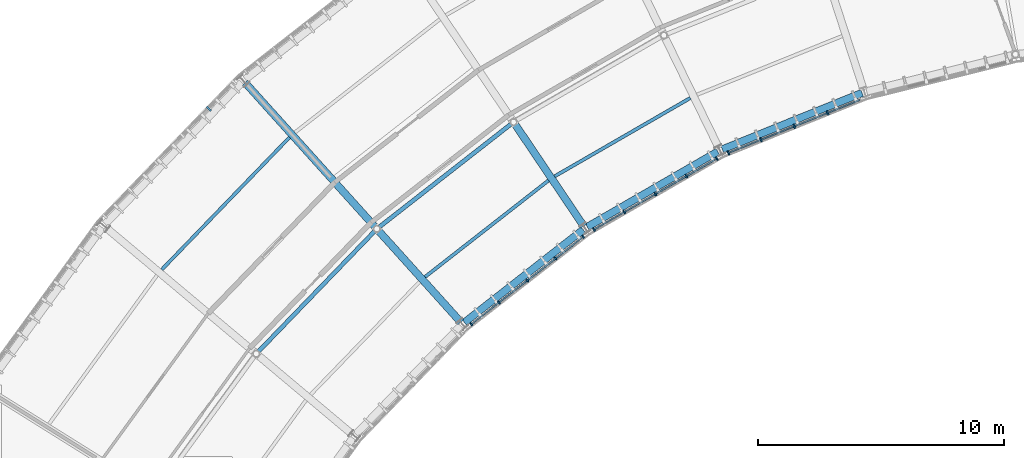
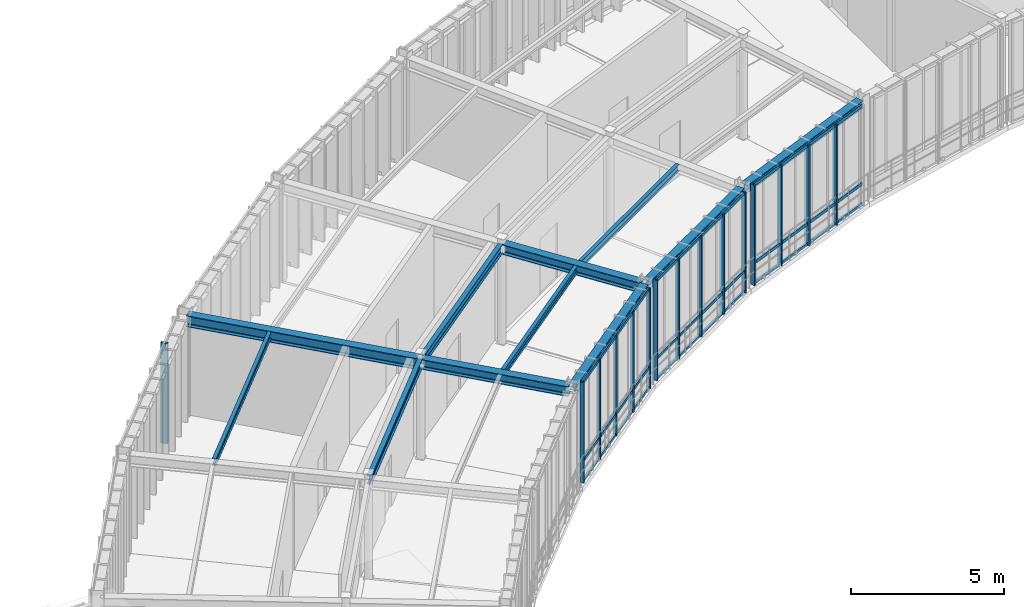
# One storey, part 18 of 52: 24 members, 11 beams, 4 elements without a shape of their own.
"""IFC4 building model written with IfcOpenShell, lengths in metres."""

from ifc_helpers import new_model, si_unit, direction, frame, origin, origin_2d, place, context, subcontext, project, spatial, rectangle, i_section, extrude, material, layer, layer_set, material_profile, profile_set, type_object, element, aggregate, save


model = new_model("IFC4")

# Units and contexts
model_context = context("Model", 3, precision=1e-05, world=origin(), true_north=direction((0.0, 1.0)))
body_context = subcontext(model_context, "Body", "Model", "MODEL_VIEW")
ifc_project = project(units=[si_unit("LENGTHUNIT", "METRE"), si_unit("AREAUNIT", "SQUARE_METRE"), si_unit("VOLUMEUNIT", "CUBIC_METRE"), si_unit("PLANEANGLEUNIT", "RADIAN"), si_unit("MASSUNIT", "GRAM", prefix="KILO"), si_unit("THERMODYNAMICTEMPERATUREUNIT", "KELVIN"), si_unit("POWERUNIT", "WATT")], contexts=[model_context])

# Site, building, storey
site_placement = place(None, origin())
site = spatial("IfcSite", under=ifc_project, at=site_placement, CompositionType="ELEMENT")
building_placement = place(site_placement, origin())
building = spatial("IfcBuilding", under=site, at=building_placement, Name="Solvatero Civic Police Headquarters", CompositionType="ELEMENT")
storey_placement = place(building_placement, frame((0.0, 0.0, 13.5)))
storey = spatial("IfcBuildingStorey", under=building, at=storey_placement, Name="L03", CompositionType="ELEMENT", Elevation=13.5)

# Beams
ifc_material_1 = material(Name="Steel S355", Category="steel")
ifc_material_profile_1 = material_profile(ifc_material_1, i_section(OverallWidth=0.300048828125, OverallDepth=0.2900390625, WebThickness=0.008544921875, FlangeThickness=0.013916015625, FilletRadius=0.027099609375, at=origin_2d()), Name="HEA 300")
ifc_profile_set_1 = profile_set([ifc_material_profile_1], Name="Steel S355")
beam_type_1 = type_object("IfcBeamType", Name="BM-ST-HEA300", PredefinedType="SPANDREL", material=ifc_profile_set_1)
for number, where, z_axis, x_axis, name in (
    (1, (79.893310546875, 69.093017578125, 3.85498046875), (-0.927182224478, -0.374610628001, 0.0), (0.374610628001, -0.927182224478, 0.0), "Perimeter / radial spandrel beam BM-R2-L03-ARC-CIN-B04"),
    (2, (74.033203125, 66.710205078125, 3.85498046875), (-0.86603495258, -0.499983460637, 0.0), (0.499983460637, -0.86603495258, 0.0), "Perimeter / radial spandrel beam BM-R2-L03-ARC-CIN-B05"),
):
    element("IfcBeam", number, at=place(storey_placement, frame(where, z_axis=z_axis, x_axis=x_axis)), inside=storey, type_object=beam_type_1, Name=name, PredefinedType="SPANDREL", context=body_context, shape_type="SweptSolid", body=[
        extrude(i_section(OverallWidth=0.300048828125, OverallDepth=0.2900390625, WebThickness=0.008544921875, FlangeThickness=0.013916015625, FilletRadius=0.027099609375, at=origin_2d()), origin(), (0.0, 0.0, 1.0), 6.126708984375),
    ])
beam_1_placement = place(storey_placement, frame((68.561767578125, 63.535400390625, 3.85498046875), z_axis=(-0.788005042089, -0.615668785665, 0.0), x_axis=(0.615668785665, -0.788005042089, 0.0)))
element("IfcBeam", 3, at=beam_1_placement, inside=storey, type_object=beam_type_1, Name="Perimeter / radial spandrel beam BM-R2-L03-ARC-CIN-B06", PredefinedType="SPANDREL", context=body_context, shape_type="SweptSolid", body=[
    extrude(i_section(OverallWidth=0.300048828125, OverallDepth=0.2900390625, WebThickness=0.008544921875, FlangeThickness=0.013916015625, FilletRadius=0.027099609375, at=origin_2d()), origin(), (0.0, 0.0, 1.0), 6.126953125),
])
ifc_material_profile_2 = material_profile(ifc_material_1, i_section(OverallWidth=0.300048828125, OverallDepth=0.389892578125, WebThickness=0.010986328125, FlangeThickness=0.01904296875, FilletRadius=0.027099609375, at=origin_2d()), Name="HEA 400")
ifc_profile_set_2 = profile_set([ifc_material_profile_2], Name="Steel S355")
beam_type_2 = type_object("IfcBeamType", Name="BM-ST-HEA400", PredefinedType="BEAM", material=ifc_profile_set_2)
for number, where, z_axis, x_axis, name in (
    (4, (68.584716796875, 63.6796875, 3.804931640625), (-0.559176791171, 0.829048440211, 0.0), (-0.829048440211, -0.559176791171, 0.0), "Primary girder BM-R2-L03-ARC-RAD1-S05"),
    (5, (63.587890625, 59.77587890625, 3.804931640625), (-0.669126573551, 0.743148456614, 0.0), (-0.743148456614, -0.669126573551, 0.0), "Primary girder BM-R2-L03-ARC-RAD1-S06"),
):
    element("IfcBeam", number, at=place(storey_placement, frame(where, z_axis=z_axis, x_axis=x_axis)), inside=storey, type_object=beam_type_2, Name=name, PredefinedType="BEAM", context=body_context, shape_type="SweptSolid", body=[
        extrude(i_section(OverallWidth=0.300048828125, OverallDepth=0.389892578125, WebThickness=0.010986328125, FlangeThickness=0.01904296875, FilletRadius=0.027099609375, at=origin_2d()), origin(), (0.0, 0.0, 1.0), 5.0),
    ])
ifc_material_profile_3 = material_profile(ifc_material_1, i_section(OverallWidth=0.300048828125, OverallDepth=0.43994140625, WebThickness=0.011474609375, FlangeThickness=0.02099609375, FilletRadius=0.027099609375, at=origin_2d()), Name="HEA 450")
ifc_profile_set_3 = profile_set([ifc_material_profile_3], Name="Steel S355")
beam_type_3 = type_object("IfcBeamType", Name="BM-ST-HEA450", PredefinedType="BEAM", material=ifc_profile_set_3)
beam_2_placement = place(storey_placement, frame((60.1083984375, 63.640380859375, 3.780029296875), z_axis=(-0.669128632475, 0.743146602766, 0.0), x_axis=(-0.743146602766, -0.669128632475, 0.0)))
element("IfcBeam", 6, at=beam_2_placement, inside=storey, type_object=beam_type_3, Name="Primary girder BM-R2-L03-ARC-RAD2-S06", PredefinedType="BEAM", context=body_context, shape_type="SweptSolid", body=[
    extrude(i_section(OverallWidth=0.300048828125, OverallDepth=0.43994140625, WebThickness=0.011474609375, FlangeThickness=0.02099609375, FilletRadius=0.027099609375, at=origin_2d()), origin(), (0.0, 0.0, 1.0), 7.899658203125),
])
ifc_material_profile_4 = material_profile(ifc_material_1, i_section(OverallWidth=0.135009765625, OverallDepth=0.27001953125, WebThickness=0.006591796875, FlangeThickness=0.01025390625, FilletRadius=0.014892578125, at=origin_2d()), Name="IPE 270")
ifc_profile_set_4 = profile_set([ifc_material_profile_4], Name="Steel S355")
beam_type_4 = type_object("IfcBeamType", Name="BM-ST-IPE270", PredefinedType="BEAM", material=ifc_profile_set_4)
beam_3_placement = place(storey_placement, frame((72.916015625, 68.887451171875, 3.864990234375), z_axis=(-0.866017059223, -0.500014452926, 0.0), x_axis=(0.500014452926, -0.866017059223, 0.0)))
element("IfcBeam", 7, at=beam_3_placement, inside=storey, type_object=beam_type_4, Name="Composite floor beam BM-R2-L03-ARC-CS1-B05", PredefinedType="BEAM", context=body_context, shape_type="SweptSolid", body=[
    extrude(i_section(OverallWidth=0.135009765625, OverallDepth=0.27001953125, WebThickness=0.006591796875, FlangeThickness=0.01025390625, FilletRadius=0.014892578125, at=origin_2d()), origin(), (0.0, 0.0, 1.0), 6.368896484375),
])
beam_4_placement = place(storey_placement, frame((67.15234375, 65.53564453125, 3.864990234375), z_axis=(-0.787994151897, -0.615682723955, 0.0), x_axis=(0.615682723955, -0.787994151897, 0.0)))
element("IfcBeam", 8, at=beam_4_placement, inside=storey, type_object=beam_type_4, Name="Composite floor beam BM-R2-L03-ARC-CS1-B06", PredefinedType="BEAM", context=body_context, shape_type="SweptSolid", body=[
    extrude(i_section(OverallWidth=0.135009765625, OverallDepth=0.27001953125, WebThickness=0.006591796875, FlangeThickness=0.01025390625, FilletRadius=0.014892578125, at=origin_2d()), origin(), (0.0, 0.0, 1.0), 6.36865234375),
])
beam_5_placement = place(storey_placement, frame((56.625244140625, 67.285400390625, 3.864990234375), z_axis=(-0.69464641537, -0.719351345042, 0.0), x_axis=(0.719351345042, -0.69464641537, 0.0)))
element("IfcBeam", 9, at=beam_5_placement, inside=storey, type_object=beam_type_4, Name="Composite floor beam BM-R2-L03-ARC-CS2-B07", PredefinedType="BEAM", context=body_context, shape_type="SweptSolid", body=[
    extrude(i_section(OverallWidth=0.135009765625, OverallDepth=0.27001953125, WebThickness=0.006591796875, FlangeThickness=0.01025390625, FilletRadius=0.014892578125, at=origin_2d()), origin(), (0.0, 0.0, 1.0), 7.470947265625),
])
ifc_material_profile_5 = material_profile(ifc_material_1, i_section(OverallWidth=0.169921875, OverallDepth=0.360107421875, WebThickness=0.008056640625, FlangeThickness=0.0126953125, FilletRadius=0.01806640625, at=origin_2d()), Name="IPE 360")
ifc_profile_set_5 = profile_set([ifc_material_profile_5], Name="Steel S355")
beam_type_5 = type_object("IfcBeamType", Name="BM-ST-IPE360", PredefinedType="BEAM", material=ifc_profile_set_5)
beam_6_placement = place(storey_placement, frame((65.654052734375, 67.84619140625, 3.820068359375), z_axis=(-0.788036257023, -0.615628831047, 0.0), x_axis=(0.615628831047, -0.788036257023, 0.0)))
element("IfcBeam", 10, at=beam_6_placement, inside=storey, type_object=beam_type_5, Name="Composite floor beam BM-R2-L03-ARC-CMID-B06", PredefinedType="BEAM", context=body_context, shape_type="SweptSolid", body=[
    extrude(i_section(OverallWidth=0.169921875, OverallDepth=0.360107421875, WebThickness=0.008056640625, FlangeThickness=0.0126953125, FilletRadius=0.01806640625, at=origin_2d()), origin(), (0.0, 0.0, 1.0), 6.852294921875),
])
beam_7_placement = place(storey_placement, frame((60.10595703125, 63.494140625, 3.820068359375), z_axis=(-0.694635840839, -0.719361556258, 0.0), x_axis=(0.719361556258, -0.694635840839, 0.0)))
element("IfcBeam", 11, at=beam_7_placement, inside=storey, type_object=beam_type_5, Name="Composite floor beam BM-R2-L03-ARC-CMID-B07", PredefinedType="BEAM", context=body_context, shape_type="SweptSolid", body=[
    extrude(i_section(OverallWidth=0.169921875, OverallDepth=0.360107421875, WebThickness=0.008056640625, FlangeThickness=0.0126953125, FilletRadius=0.01806640625, at=origin_2d()), origin(), (0.0, 0.0, 1.0), 6.8525390625),
])

# Curtain wall, member
ifc_material_2 = material(Name="Anodized Bronze Aluminium", Category="aluminium")
ifc_layer_1 = layer(ifc_material_2, 0.179931640625)
ifc_layer_set_1 = layer_set([ifc_layer_1], Name="Anodized Bronze Aluminium")
curtain_wall_type_1 = type_object("IfcCurtainWallType", Name="CW-ARC-OUT", PredefinedType="USERDEFINED", material=ifc_layer_set_1)
curtain_wall_1_placement = place(storey_placement, origin())
curtain_wall_1 = element("IfcCurtainWall", 12, at=curtain_wall_1_placement, inside=storey, type_object=curtain_wall_type_1, Name="Curtain Wall CW-R2-L03-ARC-OUT-B07", ObjectType="UNITISED", PredefinedType="USERDEFINED")
ifc_material_profile_6 = material_profile(ifc_material_2, rectangle(XDim=0.080078125, YDim=0.239990234375, at=origin_2d()), Name="ALU MULLION 80x240")
ifc_profile_set_6 = profile_set([ifc_material_profile_6], Name="Anodized Bronze Aluminium")
member_type_1 = type_object("IfcMemberType", Name="CWM-140x60", PredefinedType="MULLION", material=ifc_profile_set_6)
member_1_placement = place(storey_placement, frame((53.34326171875, 68.453369140625, 0.0), z_axis=(0.0, 0.0, 1.0), x_axis=(-0.694645815505, -0.719351924305, 0.0)))
member_1 = element("IfcMember", 13, at=member_1_placement, type_object=member_type_1, Name="CW-R2-L03-ARC-OUT-B07 Mullion 2", PredefinedType="MULLION", context=body_context, shape_type="SweptSolid", body=[
    extrude(rectangle(XDim=0.080078125, YDim=0.239990234375, at=origin_2d()), origin(), (0.0, 0.0, 1.0), 4.0),
])
aggregate(curtain_wall_1, [member_1])

# Curtain wall, members
ifc_layer_2 = layer(ifc_material_2, 0.179931640625)
ifc_layer_set_2 = layer_set([ifc_layer_2], Name="Anodized Bronze Aluminium")
curtain_wall_type_2 = type_object("IfcCurtainWallType", Name="CW-ARC-IN", PredefinedType="USERDEFINED", material=ifc_layer_set_2)
curtain_wall_2_placement = place(storey_placement, origin())
curtain_wall_2 = element("IfcCurtainWall", 14, at=curtain_wall_2_placement, inside=storey, type_object=curtain_wall_type_2, Name="Curtain Wall CW-R2-L03-ARC-IN-B06", ObjectType="UNITISED", PredefinedType="USERDEFINED")
ifc_material_profile_7 = material_profile(ifc_material_2, rectangle(XDim=0.06005859375, YDim=0.139892578125, at=origin_2d()), Name="ALU MULLION 60x140")
ifc_profile_set_7 = profile_set([ifc_material_profile_7], Name="Anodized Bronze Aluminium")
member_type_2 = type_object("IfcMemberType", Name="CWM-160x65", PredefinedType="MULLION", material=ifc_profile_set_7)
member_2_placement = place(storey_placement, frame((68.561279296875, 63.243896484375, 0.0), z_axis=(0.0, 0.0, 1.0), x_axis=(-0.788010753607, -0.615661475326, 0.0)))
member_2 = element("IfcMember", 15, at=member_2_placement, type_object=member_type_2, Name="CW-R2-L03-ARC-IN-B06 Mullion 1", PredefinedType="MULLION", context=body_context, shape_type="SweptSolid", body=[
    extrude(rectangle(XDim=0.06005859375, YDim=0.139892578125, at=origin_2d()), origin(), (0.0, 0.0, 1.0), 4.0),
])
member_3_placement = place(storey_placement, frame((67.44091796875, 62.368408203125, 0.0), z_axis=(0.0, 0.0, 1.0), x_axis=(-0.788010753607, -0.615661475326, 0.0)))
member_3 = element("IfcMember", 16, at=member_3_placement, type_object=member_type_2, Name="CW-R2-L03-ARC-IN-B06 Mullion 2", PredefinedType="MULLION", context=body_context, shape_type="SweptSolid", body=[
    extrude(rectangle(XDim=0.06005859375, YDim=0.139892578125, at=origin_2d()), origin(), (0.0, 0.0, 1.0), 4.0),
])
member_4_placement = place(storey_placement, frame((66.2890625, 61.468505859375, 0.0), z_axis=(0.0, 0.0, 1.0), x_axis=(-0.788010753607, -0.615661475326, 0.0)))
member_4 = element("IfcMember", 17, at=member_4_placement, type_object=member_type_2, Name="CW-R2-L03-ARC-IN-B06 Mullion 3", PredefinedType="MULLION", context=body_context, shape_type="SweptSolid", body=[
    extrude(rectangle(XDim=0.06005859375, YDim=0.139892578125, at=origin_2d()), origin(), (0.0, 0.0, 1.0), 4.0),
])
member_5_placement = place(storey_placement, frame((65.13720703125, 60.568603515625, 0.0), z_axis=(0.0, 0.0, 1.0), x_axis=(-0.788010753607, -0.615661475326, 0.0)))
member_5 = element("IfcMember", 18, at=member_5_placement, type_object=member_type_2, Name="CW-R2-L03-ARC-IN-B06 Mullion 4", PredefinedType="MULLION", context=body_context, shape_type="SweptSolid", body=[
    extrude(rectangle(XDim=0.06005859375, YDim=0.139892578125, at=origin_2d()), origin(), (0.0, 0.0, 1.0), 4.0),
])
member_6_placement = place(storey_placement, frame((64.0166015625, 59.693115234375, 0.0), z_axis=(0.0, 0.0, 1.0), x_axis=(-0.788010753607, -0.615661475326, 0.0)))
member_6 = element("IfcMember", 19, at=member_6_placement, type_object=member_type_2, Name="CW-R2-L03-ARC-IN-B06 Mullion 5", PredefinedType="MULLION", context=body_context, shape_type="SweptSolid", body=[
    extrude(rectangle(XDim=0.06005859375, YDim=0.139892578125, at=origin_2d()), origin(), (0.0, 0.0, 1.0), 4.0),
])

curtain_wall_3_placement = place(storey_placement, origin())
curtain_wall_3 = element("IfcCurtainWall", 20, at=curtain_wall_3_placement, inside=storey, type_object=curtain_wall_type_2, Name="Curtain Wall CW-R2-L03-ARC-IN-B05", ObjectType="UNITISED", PredefinedType="USERDEFINED")
ifc_material_profile_8 = material_profile(ifc_material_2, rectangle(XDim=0.06005859375, YDim=0.159912109375, at=origin_2d()), Name="ALU MULLION 60x160")
ifc_profile_set_8 = profile_set([ifc_material_profile_8], Name="Anodized Bronze Aluminium")
member_type_3 = type_object("IfcMemberType", Name="CWM-180x70", PredefinedType="MULLION", material=ifc_profile_set_8)
member_7_placement = place(storey_placement, frame((73.9921875, 66.421630859375, 0.0), z_axis=(0.0, 0.0, 1.0), x_axis=(-0.866025403784, -0.5, 0.0)))
member_7 = element("IfcMember", 21, at=member_7_placement, type_object=member_type_3, Name="CW-R2-L03-ARC-IN-B05 Mullion 1", PredefinedType="MULLION", context=body_context, shape_type="SweptSolid", body=[
    extrude(rectangle(XDim=0.06005859375, YDim=0.159912109375, at=origin_2d()), origin(), (0.0, 0.0, 1.0), 4.0),
])
member_8_placement = place(storey_placement, frame((72.760986328125, 65.710693359375, 0.0), z_axis=(0.0, 0.0, 1.0), x_axis=(-0.866025403784, -0.5, 0.0)))
member_8 = element("IfcMember", 22, at=member_8_placement, type_object=member_type_3, Name="CW-R2-L03-ARC-IN-B05 Mullion 2", PredefinedType="MULLION", context=body_context, shape_type="SweptSolid", body=[
    extrude(rectangle(XDim=0.06005859375, YDim=0.159912109375, at=origin_2d()), origin(), (0.0, 0.0, 1.0), 4.0),
])
member_9_placement = place(storey_placement, frame((71.4951171875, 64.97998046875, 0.0), z_axis=(0.0, 0.0, 1.0), x_axis=(-0.866025403784, -0.5, 0.0)))
member_9 = element("IfcMember", 23, at=member_9_placement, type_object=member_type_3, Name="CW-R2-L03-ARC-IN-B05 Mullion 3", PredefinedType="MULLION", context=body_context, shape_type="SweptSolid", body=[
    extrude(rectangle(XDim=0.06005859375, YDim=0.159912109375, at=origin_2d()), origin(), (0.0, 0.0, 1.0), 4.0),
])
member_10_placement = place(storey_placement, frame((70.22900390625, 64.2490234375, 0.0), z_axis=(0.0, 0.0, 1.0), x_axis=(-0.866025403784, -0.5, 0.0)))
member_10 = element("IfcMember", 24, at=member_10_placement, type_object=member_type_3, Name="CW-R2-L03-ARC-IN-B05 Mullion 4", PredefinedType="MULLION", context=body_context, shape_type="SweptSolid", body=[
    extrude(rectangle(XDim=0.06005859375, YDim=0.159912109375, at=origin_2d()), origin(), (0.0, 0.0, 1.0), 4.0),
])
member_11_placement = place(storey_placement, frame((68.997802734375, 63.5380859375, 0.0), z_axis=(0.0, 0.0, 1.0), x_axis=(-0.866025403784, -0.5, 0.0)))
member_11 = element("IfcMember", 25, at=member_11_placement, type_object=member_type_3, Name="CW-R2-L03-ARC-IN-B05 Mullion 5", PredefinedType="MULLION", context=body_context, shape_type="SweptSolid", body=[
    extrude(rectangle(XDim=0.06005859375, YDim=0.159912109375, at=origin_2d()), origin(), (0.0, 0.0, 1.0), 4.0),
])

curtain_wall_4_placement = place(storey_placement, origin())
curtain_wall_4 = element("IfcCurtainWall", 26, at=curtain_wall_4_placement, inside=storey, type_object=curtain_wall_type_2, Name="Curtain Wall CW-R2-L03-ARC-IN-B04", ObjectType="UNITISED", PredefinedType="USERDEFINED")
ifc_material_profile_9 = material_profile(ifc_material_2, rectangle(XDim=0.06494140625, YDim=0.179931640625, at=origin_2d()), Name="ALU MULLION 65x180")
ifc_profile_set_9 = profile_set([ifc_material_profile_9], Name="Anodized Bronze Aluminium")
member_type_4 = type_object("IfcMemberType", Name="CWM-200x75", PredefinedType="MULLION", material=ifc_profile_set_9)
member_12_placement = place(storey_placement, frame((78.494140625, 68.2802734375, 0.0), z_axis=(0.0, 0.0, 1.0), x_axis=(-0.927183854567, -0.374606593416, 0.0)))
member_12 = element("IfcMember", 27, at=member_12_placement, type_object=member_type_4, Name="CW-R2-L03-ARC-IN-B04 Mullion 2", PredefinedType="MULLION", context=body_context, shape_type="SweptSolid", body=[
    extrude(rectangle(XDim=0.06494140625, YDim=0.179931640625, at=origin_2d()), origin(), (0.0, 0.0, 1.0), 4.0),
])
member_13_placement = place(storey_placement, frame((77.138916015625, 67.732666015625, 0.0), z_axis=(0.0, 0.0, 1.0), x_axis=(-0.927183854567, -0.374606593416, 0.0)))
member_13 = element("IfcMember", 28, at=member_13_placement, type_object=member_type_4, Name="CW-R2-L03-ARC-IN-B04 Mullion 3", PredefinedType="MULLION", context=body_context, shape_type="SweptSolid", body=[
    extrude(rectangle(XDim=0.06494140625, YDim=0.179931640625, at=origin_2d()), origin(), (0.0, 0.0, 1.0), 4.0),
])
member_14_placement = place(storey_placement, frame((75.78369140625, 67.18505859375, 0.0), z_axis=(0.0, 0.0, 1.0), x_axis=(-0.927183854567, -0.374606593416, 0.0)))
member_14 = element("IfcMember", 29, at=member_14_placement, type_object=member_type_4, Name="CW-R2-L03-ARC-IN-B04 Mullion 4", PredefinedType="MULLION", context=body_context, shape_type="SweptSolid", body=[
    extrude(rectangle(XDim=0.06494140625, YDim=0.179931640625, at=origin_2d()), origin(), (0.0, 0.0, 1.0), 4.0),
])
member_15_placement = place(storey_placement, frame((74.465576171875, 66.652587890625, 0.0), z_axis=(0.0, 0.0, 1.0), x_axis=(-0.927183854567, -0.374606593416, 0.0)))
member_15 = element("IfcMember", 30, at=member_15_placement, type_object=member_type_4, Name="CW-R2-L03-ARC-IN-B04 Mullion 5", PredefinedType="MULLION", context=body_context, shape_type="SweptSolid", body=[
    extrude(rectangle(XDim=0.06494140625, YDim=0.179931640625, at=origin_2d()), origin(), (0.0, 0.0, 1.0), 4.0),
])

# Member
ifc_material_profile_10 = material_profile(ifc_material_2, rectangle(XDim=0.06005859375, YDim=0.110107421875, at=origin_2d()), Name="ALU TRANSOM 60x110")
ifc_profile_set_10 = profile_set([ifc_material_profile_10], Name="Anodized Bronze Aluminium")
member_type_5 = type_object("IfcMemberType", Name="CWT-140x60", PredefinedType="USERDEFINED", material=ifc_profile_set_10)
member_16_placement = place(storey_placement, frame((73.9833984375, 66.416748046875, 0.0400390625), z_axis=(-0.866012254999, -0.500022773673, 0.0), x_axis=(0.500022773673, -0.866012254999, 0.0)))
member_16 = element("IfcMember", 31, at=member_16_placement, type_object=member_type_5, Name="CW-R2-L03-ARC-IN-B05 Transom 1", ObjectType="TRANSOM", PredefinedType="USERDEFINED", context=body_context, shape_type="SweptSolid", body=[
    extrude(rectangle(XDim=0.06005859375, YDim=0.110107421875, at=origin_2d()), origin(), (0.0, 0.0, 1.0), 5.746826171875),
])

member_17_placement = place(storey_placement, frame((73.9833984375, 66.416748046875, 0.85009765625), z_axis=(-0.866012254999, -0.500022773673, 0.0), x_axis=(0.500022773673, -0.866012254999, 0.0)))
member_17 = element("IfcMember", 32, at=member_17_placement, type_object=member_type_5, Name="CW-R2-L03-ARC-IN-B05 Transom 2", ObjectType="TRANSOM", PredefinedType="USERDEFINED", context=body_context, shape_type="SweptSolid", body=[
    extrude(rectangle(XDim=0.06005859375, YDim=0.110107421875, at=origin_2d()), origin(), (0.0, 0.0, 1.0), 5.746826171875),
])

member_18_placement = place(storey_placement, frame((73.9833984375, 66.416748046875, 3.9599609375), z_axis=(-0.866012254999, -0.500022773673, 0.0), x_axis=(0.500022773673, -0.866012254999, 0.0)))
member_18 = element("IfcMember", 33, at=member_18_placement, type_object=member_type_5, Name="CW-R2-L03-ARC-IN-B05 Transom 3", ObjectType="TRANSOM", PredefinedType="USERDEFINED", context=body_context, shape_type="SweptSolid", body=[
    extrude(rectangle(XDim=0.06005859375, YDim=0.110107421875, at=origin_2d()), origin(), (0.0, 0.0, 1.0), 5.746826171875),
])

aggregate(curtain_wall_3, [member_7, member_8, member_9, member_10, member_11, member_16, member_17, member_18])

ifc_material_profile_11 = material_profile(ifc_material_2, rectangle(XDim=0.06005859375, YDim=0.125, at=origin_2d()), Name="ALU TRANSOM 60x125")
ifc_profile_set_11 = profile_set([ifc_material_profile_11], Name="Anodized Bronze Aluminium")
member_type_6 = type_object("IfcMemberType", Name="CWT-160x65", PredefinedType="USERDEFINED", material=ifc_profile_set_11)
member_19_placement = place(storey_placement, frame((79.802978515625, 68.80908203125, 0.0400390625), z_axis=(-0.927176009366, -0.374626010383, 0.0), x_axis=(0.374626010383, -0.927176009366, 0.0)))
member_19 = element("IfcMember", 34, at=member_19_placement, type_object=member_type_6, Name="CW-R2-L03-ARC-IN-B04 Transom 1", ObjectType="TRANSOM", PredefinedType="USERDEFINED", context=body_context, shape_type="SweptSolid", body=[
    extrude(rectangle(XDim=0.06005859375, YDim=0.125, at=origin_2d()), origin(), (0.0, 0.0, 1.0), 5.74658203125),
])

member_20_placement = place(storey_placement, frame((79.802978515625, 68.80908203125, 0.85009765625), z_axis=(-0.927176009366, -0.374626010383, 0.0), x_axis=(0.374626010383, -0.927176009366, 0.0)))
member_20 = element("IfcMember", 35, at=member_20_placement, type_object=member_type_6, Name="CW-R2-L03-ARC-IN-B04 Transom 2", ObjectType="TRANSOM", PredefinedType="USERDEFINED", context=body_context, shape_type="SweptSolid", body=[
    extrude(rectangle(XDim=0.06005859375, YDim=0.125, at=origin_2d()), origin(), (0.0, 0.0, 1.0), 5.74658203125),
])

member_21_placement = place(storey_placement, frame((79.802978515625, 68.80908203125, 3.9599609375), z_axis=(-0.927176009366, -0.374626010383, 0.0), x_axis=(0.374626010383, -0.927176009366, 0.0)))
member_21 = element("IfcMember", 36, at=member_21_placement, type_object=member_type_6, Name="CW-R2-L03-ARC-IN-B04 Transom 3", ObjectType="TRANSOM", PredefinedType="USERDEFINED", context=body_context, shape_type="SweptSolid", body=[
    extrude(rectangle(XDim=0.06005859375, YDim=0.125, at=origin_2d()), origin(), (0.0, 0.0, 1.0), 5.74658203125),
])

aggregate(curtain_wall_4, [member_12, member_13, member_14, member_15, member_19, member_20, member_21])

member_22_placement = place(storey_placement, frame((68.553466796875, 63.237548828125, 0.0400390625), z_axis=(-0.788007628662, -0.615665475051, 0.0), x_axis=(0.615665475051, -0.788007628662, 0.0)))
member_22 = element("IfcMember", 37, at=member_22_placement, type_object=member_type_6, Name="CW-R2-L03-ARC-IN-B06 Transom 1", ObjectType="TRANSOM", PredefinedType="USERDEFINED", context=body_context, shape_type="SweptSolid", body=[
    extrude(rectangle(XDim=0.06005859375, YDim=0.125, at=origin_2d()), origin(), (0.0, 0.0, 1.0), 5.7470703125),
])

member_23_placement = place(storey_placement, frame((68.553466796875, 63.237548828125, 0.85009765625), z_axis=(-0.788007628662, -0.615665475051, 0.0), x_axis=(0.615665475051, -0.788007628662, 0.0)))
member_23 = element("IfcMember", 38, at=member_23_placement, type_object=member_type_6, Name="CW-R2-L03-ARC-IN-B06 Transom 2", ObjectType="TRANSOM", PredefinedType="USERDEFINED", context=body_context, shape_type="SweptSolid", body=[
    extrude(rectangle(XDim=0.06005859375, YDim=0.125, at=origin_2d()), origin(), (0.0, 0.0, 1.0), 5.7470703125),
])

member_24_placement = place(storey_placement, frame((68.553466796875, 63.237548828125, 3.9599609375), z_axis=(-0.788007628662, -0.615665475051, 0.0), x_axis=(0.615665475051, -0.788007628662, 0.0)))
member_24 = element("IfcMember", 39, at=member_24_placement, type_object=member_type_6, Name="CW-R2-L03-ARC-IN-B06 Transom 3", ObjectType="TRANSOM", PredefinedType="USERDEFINED", context=body_context, shape_type="SweptSolid", body=[
    extrude(rectangle(XDim=0.06005859375, YDim=0.125, at=origin_2d()), origin(), (0.0, 0.0, 1.0), 5.7470703125),
])

aggregate(curtain_wall_2, [member_2, member_3, member_4, member_5, member_6, member_22, member_23, member_24])

save(model, "model.ifc")
